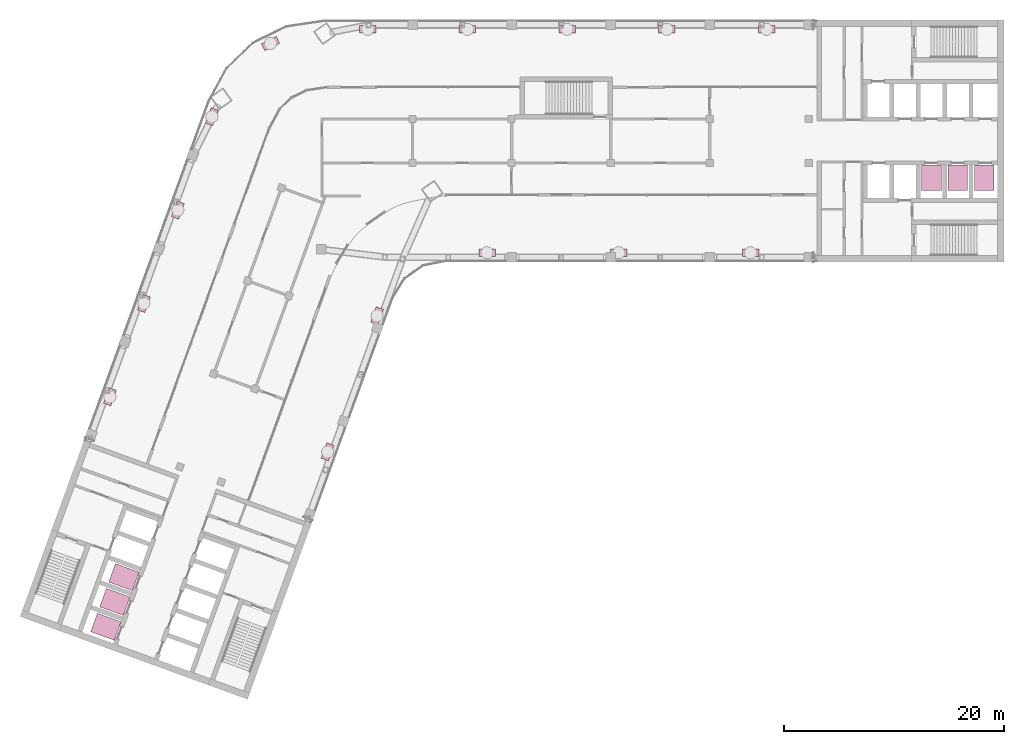
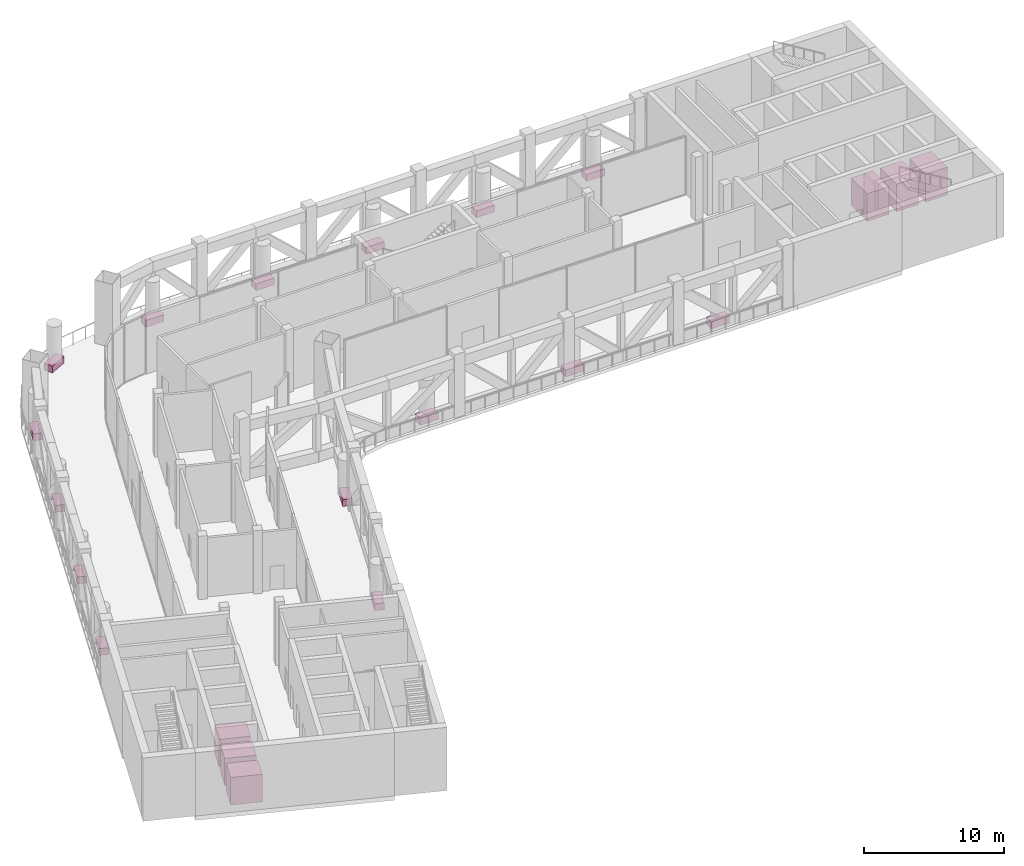
# One storey, part 18 of 19: 15 furniture elements, 6 transport elements.
"""IFC4 building model written with IfcOpenShell, lengths in metres."""

import ifcopenshell
import ifcopenshell.guid

model = None  # the IFC model being written
_history = None  # IfcOwnerHistory: only IFC2X3 demands one
_inside = {}  # id of a spatial element -> (the spatial element, [elements in it])
_under = {}  # id of a project, library or spatial element -> (it, [spatial elements below it])
_declared = {}  # id of a project -> (the project, [libraries it declares])
_typed = {}  # id of a type object -> (the type object, [elements of that type])
_made_of = {}  # id of a material, layer set ... -> (it, [elements and type objects made of it])


def new_model(schema):
    """Start an empty IFC model of exactly this schema.

    Asked for "IFC4X3", IfcOpenShell would pick the latest addendum, in which some entities
    have other attributes; the version numbers below select the first issue.
    IFC2X3 requires an IfcOwnerHistory on every rooted entity: one is made here for all.
    """
    global model, _history
    if schema == "IFC4X3":
        model = ifcopenshell.file(schema_version=(4, 3, 0, 0))
    else:
        model = ifcopenshell.file(schema=schema)
    _inside.clear()
    _under.clear()
    _declared.clear()
    _typed.clear()
    _made_of.clear()
    _history = None
    if model.schema == "IFC2X3":
        org = make("IfcOrganization", Name="unknown")
        user = make(
            "IfcPersonAndOrganization",
            ThePerson=make("IfcPerson", FamilyName="unknown"),
            TheOrganization=org,
        )
        app = make(
            "IfcApplication",
            ApplicationDeveloper=org,
            Version="unknown",
            ApplicationFullName="unknown",
            ApplicationIdentifier="unknown",
        )
        _history = make(
            "IfcOwnerHistory",
            OwningUser=user,
            OwningApplication=app,
            ChangeAction="ADDED",
            CreationDate=0,
        )
    return model


def make(cls, **values):
    """One entity of the class cls with the attributes given. An attribute that is None is left unset."""
    return model.create_entity(
        cls, **{name: value for name, value in values.items() if value is not None}
    )


def rooted(cls, **values):
    """An entity with a GlobalId (a new one), such as an element, a storey or a relation."""
    return make(cls, GlobalId=ifcopenshell.guid.new(), OwnerHistory=_history, **values)


def si_unit(unit_type, name, prefix=None):
    """IfcSIUnit, for example si_unit("LENGTHUNIT", "METRE", prefix="MILLI")."""
    return make("IfcSIUnit", UnitType=unit_type, Prefix=prefix, Name=name)


def assignment(units):
    """IfcUnitAssignment: the units of a project."""
    return None if units is None else make("IfcUnitAssignment", Units=units)


def point(xyz):
    """IfcCartesianPoint."""
    return None if xyz is None else make("IfcCartesianPoint", Coordinates=xyz)


def direction(xyz):
    """IfcDirection."""
    return None if xyz is None else make("IfcDirection", DirectionRatios=xyz)


def frame(location, z_axis=None, x_axis=None):
    """IfcAxis2Placement3D, a coordinate frame: its origin and axes. An axis left out is left unset."""
    return make(
        "IfcAxis2Placement3D",
        Location=point(location),
        Axis=direction(z_axis),
        RefDirection=direction(x_axis),
    )


def frame_2d(location, x_axis=None):
    """IfcAxis2Placement2D, a coordinate frame in the plane: its origin and x axis."""
    return make(
        "IfcAxis2Placement2D", Location=point(location), RefDirection=direction(x_axis)
    )


def origin():
    """The frame at (0, 0, 0) with its axes left unset."""
    return frame((0.0, 0.0, 0.0))


def origin_2d():
    """The frame at (0, 0) in the plane with its x axis left unset."""
    return frame_2d((0.0, 0.0))


def place(relative_to, where):
    """IfcLocalPlacement: puts the frame where relative to a parent placement (None: the world)."""
    return make(
        "IfcLocalPlacement", PlacementRelTo=relative_to, RelativePlacement=where
    )


def context(
    kind, dimensions, precision=None, world=None, true_north=None, identifier=None
):
    """IfcGeometricRepresentationContext, for example the 3D "Model" context."""
    return make(
        "IfcGeometricRepresentationContext",
        ContextIdentifier=identifier,
        ContextType=kind,
        CoordinateSpaceDimension=dimensions,
        Precision=precision,
        WorldCoordinateSystem=world,
        TrueNorth=true_north,
    )


def subcontext(parent, identifier, kind, view, scale=None):
    """IfcGeometricRepresentationSubContext, for example "Body" below "Model"."""
    return make(
        "IfcGeometricRepresentationSubContext",
        ContextIdentifier=identifier,
        ContextType=kind,
        ParentContext=parent,
        TargetScale=scale,
        TargetView=view,
    )


def project(units=None, contexts=None):
    """IfcProject with its units and contexts."""
    return rooted(
        "IfcProject",
        Name="project",
        RepresentationContexts=contexts,
        UnitsInContext=assignment(units),
    )


def spatial(cls, under=None, at=None, **own):
    """A site, building, storey or space (cls), placed at a placement, below another one or the project."""
    s = rooted(cls, ObjectPlacement=at, **own)
    if under is not None:
        _under.setdefault(under.id(), (under, []))[1].append(s)
    return s


def profile(cls, at=None, kind="AREA", **sizes):
    """A parametric profile (cls). Its sizes go by their IFC names, for example OverallWidth=200.0."""
    return make(cls, ProfileType=kind, Position=at, **sizes)


def rectangle(**sizes):
    """IfcRectangleProfileDef."""
    return profile("IfcRectangleProfileDef", **sizes)


def extrude(swept, where, along, depth):
    """IfcExtrudedAreaSolid: the profile swept, set in the frame where, extruded along a direction by depth."""
    return make(
        "IfcExtrudedAreaSolid",
        SweptArea=swept,
        Position=where,
        ExtrudedDirection=direction(along),
        Depth=depth,
    )


def shape(context_of_items, identifier, shape_type, items):
    """IfcShapeRepresentation: the items that make up one representation, for example the "Body"."""
    return make(
        "IfcShapeRepresentation",
        ContextOfItems=context_of_items,
        RepresentationIdentifier=identifier,
        RepresentationType=shape_type,
        Items=items,
    )


def material(Name=None, Category=None):
    """IfcMaterial."""
    return make("IfcMaterial", Name=Name, Category=Category)


def made_of(thing, what):
    """Note that an element or type object is made of a material, layer set ...; save() writes the relation."""
    if what is not None:
        _made_of.setdefault(what.id(), (what, []))[1].append(thing)
    return thing


def type_object(cls, material=None, **own):
    """A type object (cls), such as IfcWallType, which elements share."""
    return made_of(rooted(cls, **own), material)


def element(
    cls,
    number,
    at=None,
    inside=None,
    cuts=None,
    type_object=None,
    material=None,
    context=None,
    identifier="Body",
    shape_type=None,
    held_by="IfcProductDefinitionShape",
    body=None,
    shapes=None,
    **own,
):
    """One element of the class cls, such as IfcWall. Its Tag is "e" and its number.

    at: its placement. inside: the storey or other place that contains it. cuts: it is an
    opening in that element (IfcRelVoidsElement). A single representation is given by context,
    identifier, shape_type and body (its items); several are given by shapes. held_by: the class
    of the entity that holds the representations. save() writes the other relations.
    """
    e = rooted(cls, Tag="e%d" % number, ObjectPlacement=at, **own)
    if body is not None:
        shapes = [shape(context, identifier, shape_type, body)]
    if shapes is not None:
        e.Representation = make(held_by, Representations=shapes)
    if inside is not None:
        _inside.setdefault(inside.id(), (inside, []))[1].append(e)
    if cuts is not None:
        rooted(
            "IfcRelVoidsElement", RelatingBuildingElement=cuts, RelatedOpeningElement=e
        )
    if type_object is not None:
        _typed.setdefault(type_object.id(), (type_object, []))[1].append(e)
    return made_of(e, material)


def aggregate(whole, parts):
    """IfcRelAggregates: a whole, such as a stair, and the parts it consists of."""
    return rooted("IfcRelAggregates", RelatingObject=whole, RelatedObjects=parts)


def save(model, path):
    """Write the relations noted so far, then the file.

    IfcRelAggregates (storeys below a building ...), IfcRelContainedInSpatialStructure (elements
    in a storey), IfcRelDefinesByType, IfcRelAssociatesMaterial and IfcRelDeclares: one each for
    every whole, place, type object, material and project.
    """
    for whole, parts in _under.values():
        aggregate(whole, parts)
    for where, things in _inside.values():
        rooted(
            "IfcRelContainedInSpatialStructure",
            RelatedElements=things,
            RelatingStructure=where,
        )
    for kind, things in _typed.values():
        rooted("IfcRelDefinesByType", RelatedObjects=things, RelatingType=kind)
    for what, things in _made_of.values():
        rooted("IfcRelAssociatesMaterial", RelatedObjects=things, RelatingMaterial=what)
    for by, libraries in _declared.values():
        rooted("IfcRelDeclares", RelatingContext=by, RelatedDefinitions=libraries)
    model.write(path)


model = new_model("IFC4")

# Units and contexts
model_context = context("Model", 3, precision=1e-05, world=origin(), true_north=direction((0.0, 1.0)))
body_context = subcontext(model_context, "Body", "Model", "MODEL_VIEW")
ifc_project = project(units=[si_unit("LENGTHUNIT", "METRE"), si_unit("AREAUNIT", "SQUARE_METRE"), si_unit("VOLUMEUNIT", "CUBIC_METRE"), si_unit("PLANEANGLEUNIT", "RADIAN"), si_unit("MASSUNIT", "GRAM", prefix="KILO")], contexts=[model_context])

# Site, building, storey
site_placement = place(None, origin())
site = spatial("IfcSite", under=ifc_project, at=site_placement, CompositionType="ELEMENT")
building_placement = place(site_placement, origin())
building = spatial("IfcBuilding", under=site, at=building_placement, Name="Skarvind Civic Tower", CompositionType="ELEMENT")
storey_placement = place(building_placement, frame((0.0, 0.0, 129.0)))
storey = spatial("IfcBuildingStorey", under=building, at=storey_placement, Name="L30", CompositionType="ELEMENT", Elevation=129.0)

# Transport elements
ifc_material = material(Name="Passenger lift car")
transport_element_type = type_object("IfcTransportElementType", Name="Passenger lift car", PredefinedType="ELEVATOR", material=ifc_material)
for number, where, z_axis, x_axis, name in (
    (1, (106.199951171875, 124.64990234375, 0.0), (0.0, 0.0, 1.0), (-1.0, 0.0, 0.0), "High-rise lift car"),
    (2, (103.800048828125, 124.64990234375, 0.0), (0.0, 0.0, 1.0), (-1.0, 0.0, 0.0), "High-rise lift car"),
    (3, (101.39990234375, 124.64990234375, 0.0), (0.0, 0.0, 1.0), (-1.0, 0.0, 0.0), "High-rise lift car"),
    (4, (26.36669921875, 83.8525390625, 0.0), (0.0, 0.0, 1.0), (0.342020143326, 0.939692620786, 0.0), "High-rise lift car"),
    (5, (27.1875, 86.10791015625, 0.0), (0.0, 0.0, 1.0), (0.342020143326, 0.939692620786, 0.0), "High-rise lift car"),
    (6, (28.00830078125, 88.363037109375, 0.0), (0.0, 0.0, 1.0), (0.342020143326, 0.939692620786, 0.0), "High-rise lift car"),
):
    element("IfcTransportElement", number, at=place(storey_placement, frame(where, z_axis=z_axis, x_axis=x_axis)), inside=storey, type_object=transport_element_type, Name=name, PredefinedType="ELEVATOR", context=body_context, shape_type="SweptSolid", body=[
        extrude(rectangle(XDim=1.800048828125, YDim=2.300048828125, at=origin_2d()), origin(), (0.0, 0.0, 1.0), 2.39990234375),
    ])

# Furniture
for number, where, z_axis, x_axis, name in (
    (7, (41.32861328125, 136.861083984375, 0.0), (0.0, 0.0, 1.0), (0.897643314515, 0.440722679139, 0.0), "TERRACE PLANTER"),
    (8, (50.166748046875, 138.14990234375, 0.0), (0.0, 0.0, 1.0), (1.0, 0.0, 0.0), "TERRACE PLANTER"),
    (9, (59.2294921875, 138.14990234375, 0.0), (0.0, 0.0, 1.0), (1.0, 0.0, 0.0), "TERRACE PLANTER"),
    (10, (68.29248046875, 138.14990234375, 0.0), (0.0, 0.0, 1.0), (1.0, 0.0, 0.0), "TERRACE PLANTER"),
    (11, (77.355712890625, 138.14990234375, 0.0), (0.0, 0.0, 1.0), (1.0, 0.0, 0.0), "TERRACE PLANTER"),
    (12, (86.41845703125, 138.14990234375, 0.0), (0.0, 0.0, 1.0), (1.0, 0.0, 0.0), "TERRACE PLANTER"),
    (13, (26.73681640625, 104.75146484375, 0.0), (0.0, 0.0, 1.0), (0.342020143326, 0.939692620786, 0.0), "TERRACE PLANTER"),
    (14, (29.825439453125, 113.2373046875, 0.0), (0.0, 0.0, 1.0), (0.342020143326, 0.939692620786, 0.0), "TERRACE PLANTER"),
    (15, (32.9140625, 121.72314453125, 0.0), (0.0, 0.0, 1.0), (0.342020143326, 0.939692620786, 0.0), "TERRACE PLANTER"),
    (16, (36.002685546875, 130.208984375, 0.0), (0.0, 0.0, 1.0), (0.342020143326, 0.939692620786, 0.0), "TERRACE PLANTER"),
    (17, (51.02099609375, 112.1181640625, 0.0), (0.0, 0.0, 1.0), (-0.342020143326, -0.939692620786, 0.0), "TERRACE PLANTER"),
    (18, (46.519287109375, 99.749755859375, 0.0), (0.0, 0.0, 1.0), (-0.342020143326, -0.939692620786, 0.0), "TERRACE PLANTER"),
    (19, (84.9619140625, 117.85009765625, 0.0), (0.0, 0.0, 1.0), (-1.0, 0.0, 0.0), "TERRACE PLANTER"),
    (20, (72.98583984375, 117.85009765625, 0.0), (0.0, 0.0, 1.0), (-1.0, 0.0, 0.0), "TERRACE PLANTER"),
    (21, (61.009765625, 117.85009765625, 0.0), (0.0, 0.0, 1.0), (-1.0, 0.0, 0.0), "TERRACE PLANTER"),
):
    element("IfcFurniture", number, at=place(storey_placement, frame(where, z_axis=z_axis, x_axis=x_axis)), inside=storey, Name=name, ObjectType="PLANTER", PredefinedType="USERDEFINED", context=body_context, shape_type="SweptSolid", body=[
        extrude(rectangle(XDim=1.5, YDim=0.699951171875, at=origin_2d()), origin(), (0.0, 0.0, 1.0), 0.60009765625),
    ])

save(model, "model.ifc")
